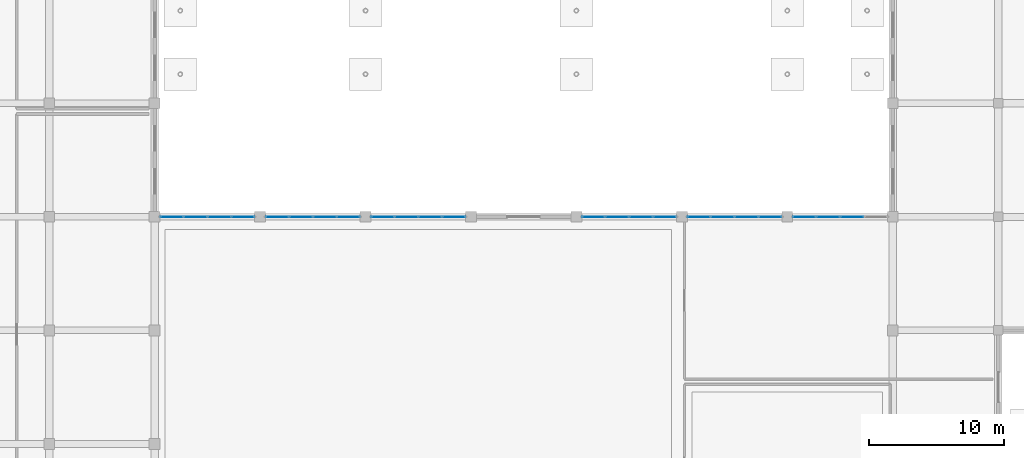
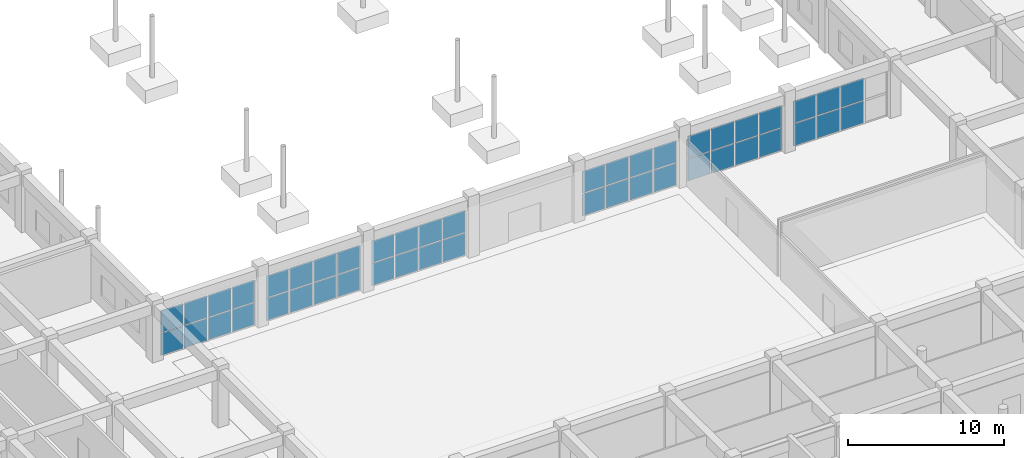
# One storey, part 104 of 139: 46 plates, 6 elements without a shape of their own.
"""IFC4 building model written with IfcOpenShell, lengths in metres."""

from ifc_helpers import new_model, si_unit, direction, frame, origin, origin_2d, place, context, subcontext, project, spatial, rectangle, extrude, material, layer, layer_set, type_object, element, aggregate, save


model = new_model("IFC4")

# Units and contexts
model_context = context("Model", 3, precision=1e-05, world=origin(), true_north=direction((0.0, 1.0)))
body_context = subcontext(model_context, "Body", "Model", "MODEL_VIEW")
ifc_project = project(units=[si_unit("LENGTHUNIT", "METRE"), si_unit("AREAUNIT", "SQUARE_METRE"), si_unit("VOLUMEUNIT", "CUBIC_METRE"), si_unit("PLANEANGLEUNIT", "RADIAN"), si_unit("MASSUNIT", "GRAM", prefix="KILO")], contexts=[model_context])

# Site, building, storey
site_placement = place(None, origin())
site = spatial("IfcSite", under=ifc_project, at=site_placement, CompositionType="ELEMENT")
building_placement = place(site_placement, origin())
building = spatial("IfcBuilding", under=site, at=building_placement, Name="Zizhar Promenade General Hospital", CompositionType="ELEMENT")
storey_placement = place(building_placement, origin())
storey = spatial("IfcBuildingStorey", under=building, at=storey_placement, Name="L00", CompositionType="ELEMENT", Elevation=0.0)

# Curtain wall, plates
ifc_material_1 = material(Name="Anodised aluminium 6063-T6 and low-E glass", Category="aluminium")
ifc_layer_1 = layer(ifc_material_1, 0.159912109375)
ifc_layer_set_1 = layer_set([ifc_layer_1], Name="Anodised aluminium 6063-T6 and low-E glass")
curtain_wall_type = type_object("IfcCurtainWallType", Name="CW-HALL-N", PredefinedType="NOTDEFINED", material=ifc_layer_set_1)
curtain_wall_1_placement = place(storey_placement, origin())
curtain_wall_1 = element("IfcCurtainWall", 1, at=curtain_wall_1_placement, inside=storey, type_object=curtain_wall_type, Name="Main Hall Courtyard Curtain Wall L00-9", PredefinedType="NOTDEFINED")
ifc_material_2 = material(Name="Low-E solar-control glass", Category="glass")
ifc_layer_2 = layer(ifc_material_2, 0.031982421875)
ifc_layer_set_2 = layer_set([ifc_layer_2], Name="Low-E solar-control glass")
plate_type = type_object("IfcPlateType", Name="CWP-GLZ-32", PredefinedType="CURTAIN_PANEL", material=ifc_layer_set_2)
plate_1_placement = place(storey_placement, frame((71.465087890625, 50.39990234375, 0.06005859375), z_axis=(0.0, 0.0, 1.0), x_axis=(1.0, 0.0, 0.0)))
plate_1 = element("IfcPlate", 2, at=plate_1_placement, type_object=plate_type, Name="CW-02 panel 1.1", PredefinedType="CURTAIN_PANEL", context=body_context, shape_type="SweptSolid", body=[
    extrude(rectangle(XDim=1.64990234375, YDim=0.031982421875, at=origin_2d()), origin(), (0.0, 0.0, 1.0), 1.72509765625),
])
plate_2_placement = place(storey_placement, frame((71.465087890625, 50.39990234375, 1.844970703125), z_axis=(0.0, 0.0, 1.0), x_axis=(1.0, 0.0, 0.0)))
plate_2 = element("IfcPlate", 3, at=plate_2_placement, type_object=plate_type, Name="CW-02 panel 1.2", PredefinedType="CURTAIN_PANEL", context=body_context, shape_type="SweptSolid", body=[
    extrude(rectangle(XDim=1.64990234375, YDim=0.031982421875, at=origin_2d()), origin(), (0.0, 0.0, 1.0), 1.72509765625),
])
plate_3_placement = place(storey_placement, frame((73.215087890625, 50.39990234375, 0.06005859375), z_axis=(0.0, 0.0, 1.0), x_axis=(1.0, 0.0, 0.0)))
plate_3 = element("IfcPlate", 4, at=plate_3_placement, type_object=plate_type, Name="CW-02 panel 2.1", PredefinedType="CURTAIN_PANEL", context=body_context, shape_type="SweptSolid", body=[
    extrude(rectangle(XDim=1.68994140625, YDim=0.031982421875, at=origin_2d()), origin(), (0.0, 0.0, 1.0), 1.72509765625),
])
plate_4_placement = place(storey_placement, frame((73.215087890625, 50.39990234375, 1.844970703125), z_axis=(0.0, 0.0, 1.0), x_axis=(1.0, 0.0, 0.0)))
plate_4 = element("IfcPlate", 5, at=plate_4_placement, type_object=plate_type, Name="CW-02 panel 2.2", PredefinedType="CURTAIN_PANEL", context=body_context, shape_type="SweptSolid", body=[
    extrude(rectangle(XDim=1.68994140625, YDim=0.031982421875, at=origin_2d()), origin(), (0.0, 0.0, 1.0), 1.72509765625),
])
plate_5_placement = place(storey_placement, frame((74.985107421875, 50.39990234375, 0.06005859375), z_axis=(0.0, 0.0, 1.0), x_axis=(1.0, 0.0, 0.0)))
plate_5 = element("IfcPlate", 6, at=plate_5_placement, type_object=plate_type, Name="CW-02 panel 3.1", PredefinedType="CURTAIN_PANEL", context=body_context, shape_type="SweptSolid", body=[
    extrude(rectangle(XDim=1.68994140625, YDim=0.031982421875, at=origin_2d()), origin(), (0.0, 0.0, 1.0), 1.72509765625),
])
plate_6_placement = place(storey_placement, frame((74.985107421875, 50.39990234375, 1.844970703125), z_axis=(0.0, 0.0, 1.0), x_axis=(1.0, 0.0, 0.0)))
plate_6 = element("IfcPlate", 7, at=plate_6_placement, type_object=plate_type, Name="CW-02 panel 3.2", PredefinedType="CURTAIN_PANEL", context=body_context, shape_type="SweptSolid", body=[
    extrude(rectangle(XDim=1.68994140625, YDim=0.031982421875, at=origin_2d()), origin(), (0.0, 0.0, 1.0), 1.72509765625),
])
plate_7_placement = place(storey_placement, frame((76.735107421875, 50.39990234375, 0.06005859375), z_axis=(0.0, 0.0, 1.0), x_axis=(1.0, 0.0, 0.0)))
plate_7 = element("IfcPlate", 8, at=plate_7_placement, type_object=plate_type, Name="CW-02 panel 4.1", PredefinedType="CURTAIN_PANEL", context=body_context, shape_type="SweptSolid", body=[
    extrude(rectangle(XDim=1.64990234375, YDim=0.031982421875, at=origin_2d()), origin(), (0.0, 0.0, 1.0), 1.72509765625),
])
plate_8_placement = place(storey_placement, frame((76.735107421875, 50.39990234375, 1.844970703125), z_axis=(0.0, 0.0, 1.0), x_axis=(1.0, 0.0, 0.0)))
plate_8 = element("IfcPlate", 9, at=plate_8_placement, type_object=plate_type, Name="CW-02 panel 4.2", PredefinedType="CURTAIN_PANEL", context=body_context, shape_type="SweptSolid", body=[
    extrude(rectangle(XDim=1.64990234375, YDim=0.031982421875, at=origin_2d()), origin(), (0.0, 0.0, 1.0), 1.72509765625),
])
aggregate(curtain_wall_1, [plate_1, plate_2, plate_3, plate_4, plate_5, plate_6, plate_7, plate_8])

curtain_wall_2_placement = place(storey_placement, origin())
curtain_wall_2 = element("IfcCurtainWall", 10, at=curtain_wall_2_placement, inside=storey, type_object=curtain_wall_type, Name="Main Hall Courtyard Curtain Wall L00-10", PredefinedType="NOTDEFINED")
plate_9_placement = place(storey_placement, frame((79.264892578125, 50.39990234375, 0.06005859375), z_axis=(0.0, 0.0, 1.0), x_axis=(1.0, 0.0, 0.0)))
plate_9 = element("IfcPlate", 11, at=plate_9_placement, type_object=plate_type, Name="CW-02 panel 1.1", PredefinedType="CURTAIN_PANEL", context=body_context, shape_type="SweptSolid", body=[
    extrude(rectangle(XDim=1.64990234375, YDim=0.031982421875, at=origin_2d()), origin(), (0.0, 0.0, 1.0), 1.72509765625),
])
plate_10_placement = place(storey_placement, frame((79.264892578125, 50.39990234375, 1.844970703125), z_axis=(0.0, 0.0, 1.0), x_axis=(1.0, 0.0, 0.0)))
plate_10 = element("IfcPlate", 12, at=plate_10_placement, type_object=plate_type, Name="CW-02 panel 1.2", PredefinedType="CURTAIN_PANEL", context=body_context, shape_type="SweptSolid", body=[
    extrude(rectangle(XDim=1.64990234375, YDim=0.031982421875, at=origin_2d()), origin(), (0.0, 0.0, 1.0), 1.72509765625),
])
plate_11_placement = place(storey_placement, frame((81.014892578125, 50.39990234375, 0.06005859375), z_axis=(0.0, 0.0, 1.0), x_axis=(1.0, 0.0, 0.0)))
plate_11 = element("IfcPlate", 13, at=plate_11_placement, type_object=plate_type, Name="CW-02 panel 2.1", PredefinedType="CURTAIN_PANEL", context=body_context, shape_type="SweptSolid", body=[
    extrude(rectangle(XDim=1.68994140625, YDim=0.031982421875, at=origin_2d()), origin(), (0.0, 0.0, 1.0), 1.72509765625),
])
plate_12_placement = place(storey_placement, frame((81.014892578125, 50.39990234375, 1.844970703125), z_axis=(0.0, 0.0, 1.0), x_axis=(1.0, 0.0, 0.0)))
plate_12 = element("IfcPlate", 14, at=plate_12_placement, type_object=plate_type, Name="CW-02 panel 2.2", PredefinedType="CURTAIN_PANEL", context=body_context, shape_type="SweptSolid", body=[
    extrude(rectangle(XDim=1.68994140625, YDim=0.031982421875, at=origin_2d()), origin(), (0.0, 0.0, 1.0), 1.72509765625),
])
plate_13_placement = place(storey_placement, frame((82.784912109375, 50.39990234375, 0.06005859375), z_axis=(0.0, 0.0, 1.0), x_axis=(1.0, 0.0, 0.0)))
plate_13 = element("IfcPlate", 15, at=plate_13_placement, type_object=plate_type, Name="CW-02 panel 3.1", PredefinedType="CURTAIN_PANEL", context=body_context, shape_type="SweptSolid", body=[
    extrude(rectangle(XDim=1.68994140625, YDim=0.031982421875, at=origin_2d()), origin(), (0.0, 0.0, 1.0), 1.72509765625),
])
plate_14_placement = place(storey_placement, frame((82.784912109375, 50.39990234375, 1.844970703125), z_axis=(0.0, 0.0, 1.0), x_axis=(1.0, 0.0, 0.0)))
plate_14 = element("IfcPlate", 16, at=plate_14_placement, type_object=plate_type, Name="CW-02 panel 3.2", PredefinedType="CURTAIN_PANEL", context=body_context, shape_type="SweptSolid", body=[
    extrude(rectangle(XDim=1.68994140625, YDim=0.031982421875, at=origin_2d()), origin(), (0.0, 0.0, 1.0), 1.72509765625),
])
plate_15_placement = place(storey_placement, frame((84.534912109375, 50.39990234375, 0.06005859375), z_axis=(0.0, 0.0, 1.0), x_axis=(1.0, 0.0, 0.0)))
plate_15 = element("IfcPlate", 17, at=plate_15_placement, type_object=plate_type, Name="CW-02 panel 4.1", PredefinedType="CURTAIN_PANEL", context=body_context, shape_type="SweptSolid", body=[
    extrude(rectangle(XDim=1.64990234375, YDim=0.031982421875, at=origin_2d()), origin(), (0.0, 0.0, 1.0), 1.72509765625),
])
plate_16_placement = place(storey_placement, frame((84.534912109375, 50.39990234375, 1.844970703125), z_axis=(0.0, 0.0, 1.0), x_axis=(1.0, 0.0, 0.0)))
plate_16 = element("IfcPlate", 18, at=plate_16_placement, type_object=plate_type, Name="CW-02 panel 4.2", PredefinedType="CURTAIN_PANEL", context=body_context, shape_type="SweptSolid", body=[
    extrude(rectangle(XDim=1.64990234375, YDim=0.031982421875, at=origin_2d()), origin(), (0.0, 0.0, 1.0), 1.72509765625),
])
aggregate(curtain_wall_2, [plate_9, plate_10, plate_11, plate_12, plate_13, plate_14, plate_15, plate_16])

curtain_wall_3_placement = place(storey_placement, origin())
curtain_wall_3 = element("IfcCurtainWall", 19, at=curtain_wall_3_placement, inside=storey, type_object=curtain_wall_type, Name="Main Hall Courtyard Curtain Wall L00-11", PredefinedType="NOTDEFINED")
plate_17_placement = place(storey_placement, frame((87.06494140625, 50.39990234375, 0.06005859375), z_axis=(0.0, 0.0, 1.0), x_axis=(1.0, 0.0, 0.0)))
plate_17 = element("IfcPlate", 20, at=plate_17_placement, type_object=plate_type, Name="CW-02 panel 1.1", PredefinedType="CURTAIN_PANEL", context=body_context, shape_type="SweptSolid", body=[
    extrude(rectangle(XDim=1.64990234375, YDim=0.031982421875, at=origin_2d()), origin(), (0.0, 0.0, 1.0), 1.72509765625),
])
plate_18_placement = place(storey_placement, frame((87.06494140625, 50.39990234375, 1.844970703125), z_axis=(0.0, 0.0, 1.0), x_axis=(1.0, 0.0, 0.0)))
plate_18 = element("IfcPlate", 21, at=plate_18_placement, type_object=plate_type, Name="CW-02 panel 1.2", PredefinedType="CURTAIN_PANEL", context=body_context, shape_type="SweptSolid", body=[
    extrude(rectangle(XDim=1.64990234375, YDim=0.031982421875, at=origin_2d()), origin(), (0.0, 0.0, 1.0), 1.72509765625),
])
plate_19_placement = place(storey_placement, frame((88.81494140625, 50.39990234375, 0.06005859375), z_axis=(0.0, 0.0, 1.0), x_axis=(1.0, 0.0, 0.0)))
plate_19 = element("IfcPlate", 22, at=plate_19_placement, type_object=plate_type, Name="CW-02 panel 2.1", PredefinedType="CURTAIN_PANEL", context=body_context, shape_type="SweptSolid", body=[
    extrude(rectangle(XDim=1.68994140625, YDim=0.031982421875, at=origin_2d()), origin(), (0.0, 0.0, 1.0), 1.72509765625),
])
plate_20_placement = place(storey_placement, frame((88.81494140625, 50.39990234375, 1.844970703125), z_axis=(0.0, 0.0, 1.0), x_axis=(1.0, 0.0, 0.0)))
plate_20 = element("IfcPlate", 23, at=plate_20_placement, type_object=plate_type, Name="CW-02 panel 2.2", PredefinedType="CURTAIN_PANEL", context=body_context, shape_type="SweptSolid", body=[
    extrude(rectangle(XDim=1.68994140625, YDim=0.031982421875, at=origin_2d()), origin(), (0.0, 0.0, 1.0), 1.72509765625),
])
plate_21_placement = place(storey_placement, frame((90.5849609375, 50.39990234375, 0.06005859375), z_axis=(0.0, 0.0, 1.0), x_axis=(1.0, 0.0, 0.0)))
plate_21 = element("IfcPlate", 24, at=plate_21_placement, type_object=plate_type, Name="CW-02 panel 3.1", PredefinedType="CURTAIN_PANEL", context=body_context, shape_type="SweptSolid", body=[
    extrude(rectangle(XDim=1.68994140625, YDim=0.031982421875, at=origin_2d()), origin(), (0.0, 0.0, 1.0), 1.72509765625),
])
plate_22_placement = place(storey_placement, frame((90.5849609375, 50.39990234375, 1.844970703125), z_axis=(0.0, 0.0, 1.0), x_axis=(1.0, 0.0, 0.0)))
plate_22 = element("IfcPlate", 25, at=plate_22_placement, type_object=plate_type, Name="CW-02 panel 3.2", PredefinedType="CURTAIN_PANEL", context=body_context, shape_type="SweptSolid", body=[
    extrude(rectangle(XDim=1.68994140625, YDim=0.031982421875, at=origin_2d()), origin(), (0.0, 0.0, 1.0), 1.72509765625),
])
plate_23_placement = place(storey_placement, frame((92.3349609375, 50.39990234375, 0.06005859375), z_axis=(0.0, 0.0, 1.0), x_axis=(1.0, 0.0, 0.0)))
plate_23 = element("IfcPlate", 26, at=plate_23_placement, type_object=plate_type, Name="CW-02 panel 4.1", PredefinedType="CURTAIN_PANEL", context=body_context, shape_type="SweptSolid", body=[
    extrude(rectangle(XDim=1.64990234375, YDim=0.031982421875, at=origin_2d()), origin(), (0.0, 0.0, 1.0), 1.72509765625),
])
plate_24_placement = place(storey_placement, frame((92.3349609375, 50.39990234375, 1.844970703125), z_axis=(0.0, 0.0, 1.0), x_axis=(1.0, 0.0, 0.0)))
plate_24 = element("IfcPlate", 27, at=plate_24_placement, type_object=plate_type, Name="CW-02 panel 4.2", PredefinedType="CURTAIN_PANEL", context=body_context, shape_type="SweptSolid", body=[
    extrude(rectangle(XDim=1.64990234375, YDim=0.031982421875, at=origin_2d()), origin(), (0.0, 0.0, 1.0), 1.72509765625),
])
aggregate(curtain_wall_3, [plate_17, plate_18, plate_19, plate_20, plate_21, plate_22, plate_23, plate_24])

curtain_wall_4_placement = place(storey_placement, origin())
curtain_wall_4 = element("IfcCurtainWall", 28, at=curtain_wall_4_placement, inside=storey, type_object=curtain_wall_type, Name="Main Hall Courtyard Curtain Wall L00-13", PredefinedType="NOTDEFINED")
plate_25_placement = place(storey_placement, frame((102.6650390625, 50.39990234375, 0.06005859375), z_axis=(0.0, 0.0, 1.0), x_axis=(1.0, 0.0, 0.0)))
plate_25 = element("IfcPlate", 29, at=plate_25_placement, type_object=plate_type, Name="CW-02 panel 1.1", PredefinedType="CURTAIN_PANEL", context=body_context, shape_type="SweptSolid", body=[
    extrude(rectangle(XDim=1.64990234375, YDim=0.031982421875, at=origin_2d()), origin(), (0.0, 0.0, 1.0), 1.72509765625),
])
plate_26_placement = place(storey_placement, frame((102.6650390625, 50.39990234375, 1.844970703125), z_axis=(0.0, 0.0, 1.0), x_axis=(1.0, 0.0, 0.0)))
plate_26 = element("IfcPlate", 30, at=plate_26_placement, type_object=plate_type, Name="CW-02 panel 1.2", PredefinedType="CURTAIN_PANEL", context=body_context, shape_type="SweptSolid", body=[
    extrude(rectangle(XDim=1.64990234375, YDim=0.031982421875, at=origin_2d()), origin(), (0.0, 0.0, 1.0), 1.72509765625),
])
plate_27_placement = place(storey_placement, frame((104.4150390625, 50.39990234375, 0.06005859375), z_axis=(0.0, 0.0, 1.0), x_axis=(1.0, 0.0, 0.0)))
plate_27 = element("IfcPlate", 31, at=plate_27_placement, type_object=plate_type, Name="CW-02 panel 2.1", PredefinedType="CURTAIN_PANEL", context=body_context, shape_type="SweptSolid", body=[
    extrude(rectangle(XDim=1.68994140625, YDim=0.031982421875, at=origin_2d()), origin(), (0.0, 0.0, 1.0), 1.72509765625),
])
plate_28_placement = place(storey_placement, frame((104.4150390625, 50.39990234375, 1.844970703125), z_axis=(0.0, 0.0, 1.0), x_axis=(1.0, 0.0, 0.0)))
plate_28 = element("IfcPlate", 32, at=plate_28_placement, type_object=plate_type, Name="CW-02 panel 2.2", PredefinedType="CURTAIN_PANEL", context=body_context, shape_type="SweptSolid", body=[
    extrude(rectangle(XDim=1.68994140625, YDim=0.031982421875, at=origin_2d()), origin(), (0.0, 0.0, 1.0), 1.72509765625),
])
plate_29_placement = place(storey_placement, frame((106.18505859375, 50.39990234375, 0.06005859375), z_axis=(0.0, 0.0, 1.0), x_axis=(1.0, 0.0, 0.0)))
plate_29 = element("IfcPlate", 33, at=plate_29_placement, type_object=plate_type, Name="CW-02 panel 3.1", PredefinedType="CURTAIN_PANEL", context=body_context, shape_type="SweptSolid", body=[
    extrude(rectangle(XDim=1.68994140625, YDim=0.031982421875, at=origin_2d()), origin(), (0.0, 0.0, 1.0), 1.72509765625),
])
plate_30_placement = place(storey_placement, frame((106.18505859375, 50.39990234375, 1.844970703125), z_axis=(0.0, 0.0, 1.0), x_axis=(1.0, 0.0, 0.0)))
plate_30 = element("IfcPlate", 34, at=plate_30_placement, type_object=plate_type, Name="CW-02 panel 3.2", PredefinedType="CURTAIN_PANEL", context=body_context, shape_type="SweptSolid", body=[
    extrude(rectangle(XDim=1.68994140625, YDim=0.031982421875, at=origin_2d()), origin(), (0.0, 0.0, 1.0), 1.72509765625),
])
plate_31_placement = place(storey_placement, frame((107.93505859375, 50.39990234375, 0.06005859375), z_axis=(0.0, 0.0, 1.0), x_axis=(1.0, 0.0, 0.0)))
plate_31 = element("IfcPlate", 35, at=plate_31_placement, type_object=plate_type, Name="CW-02 panel 4.1", PredefinedType="CURTAIN_PANEL", context=body_context, shape_type="SweptSolid", body=[
    extrude(rectangle(XDim=1.64990234375, YDim=0.031982421875, at=origin_2d()), origin(), (0.0, 0.0, 1.0), 1.72509765625),
])
plate_32_placement = place(storey_placement, frame((107.93505859375, 50.39990234375, 1.844970703125), z_axis=(0.0, 0.0, 1.0), x_axis=(1.0, 0.0, 0.0)))
plate_32 = element("IfcPlate", 36, at=plate_32_placement, type_object=plate_type, Name="CW-02 panel 4.2", PredefinedType="CURTAIN_PANEL", context=body_context, shape_type="SweptSolid", body=[
    extrude(rectangle(XDim=1.64990234375, YDim=0.031982421875, at=origin_2d()), origin(), (0.0, 0.0, 1.0), 1.72509765625),
])
aggregate(curtain_wall_4, [plate_25, plate_26, plate_27, plate_28, plate_29, plate_30, plate_31, plate_32])

curtain_wall_5_placement = place(storey_placement, origin())
curtain_wall_5 = element("IfcCurtainWall", 37, at=curtain_wall_5_placement, inside=storey, type_object=curtain_wall_type, Name="Main Hall Courtyard Curtain Wall L00-14", PredefinedType="NOTDEFINED")
plate_33_placement = place(storey_placement, frame((110.465087890625, 50.39990234375, 0.06005859375), z_axis=(0.0, 0.0, 1.0), x_axis=(1.0, 0.0, 0.0)))
plate_33 = element("IfcPlate", 38, at=plate_33_placement, type_object=plate_type, Name="CW-02 panel 1.1", PredefinedType="CURTAIN_PANEL", context=body_context, shape_type="SweptSolid", body=[
    extrude(rectangle(XDim=1.64990234375, YDim=0.031982421875, at=origin_2d()), origin(), (0.0, 0.0, 1.0), 1.72509765625),
])
plate_34_placement = place(storey_placement, frame((110.465087890625, 50.39990234375, 1.844970703125), z_axis=(0.0, 0.0, 1.0), x_axis=(1.0, 0.0, 0.0)))
plate_34 = element("IfcPlate", 39, at=plate_34_placement, type_object=plate_type, Name="CW-02 panel 1.2", PredefinedType="CURTAIN_PANEL", context=body_context, shape_type="SweptSolid", body=[
    extrude(rectangle(XDim=1.64990234375, YDim=0.031982421875, at=origin_2d()), origin(), (0.0, 0.0, 1.0), 1.72509765625),
])
plate_35_placement = place(storey_placement, frame((112.215087890625, 50.39990234375, 0.06005859375), z_axis=(0.0, 0.0, 1.0), x_axis=(1.0, 0.0, 0.0)))
plate_35 = element("IfcPlate", 40, at=plate_35_placement, type_object=plate_type, Name="CW-02 panel 2.1", PredefinedType="CURTAIN_PANEL", context=body_context, shape_type="SweptSolid", body=[
    extrude(rectangle(XDim=1.68994140625, YDim=0.031982421875, at=origin_2d()), origin(), (0.0, 0.0, 1.0), 1.72509765625),
])
plate_36_placement = place(storey_placement, frame((112.215087890625, 50.39990234375, 1.844970703125), z_axis=(0.0, 0.0, 1.0), x_axis=(1.0, 0.0, 0.0)))
plate_36 = element("IfcPlate", 41, at=plate_36_placement, type_object=plate_type, Name="CW-02 panel 2.2", PredefinedType="CURTAIN_PANEL", context=body_context, shape_type="SweptSolid", body=[
    extrude(rectangle(XDim=1.68994140625, YDim=0.031982421875, at=origin_2d()), origin(), (0.0, 0.0, 1.0), 1.72509765625),
])
plate_37_placement = place(storey_placement, frame((113.985107421875, 50.39990234375, 0.06005859375), z_axis=(0.0, 0.0, 1.0), x_axis=(1.0, 0.0, 0.0)))
plate_37 = element("IfcPlate", 42, at=plate_37_placement, type_object=plate_type, Name="CW-02 panel 3.1", PredefinedType="CURTAIN_PANEL", context=body_context, shape_type="SweptSolid", body=[
    extrude(rectangle(XDim=1.68994140625, YDim=0.031982421875, at=origin_2d()), origin(), (0.0, 0.0, 1.0), 1.72509765625),
])
plate_38_placement = place(storey_placement, frame((113.985107421875, 50.39990234375, 1.844970703125), z_axis=(0.0, 0.0, 1.0), x_axis=(1.0, 0.0, 0.0)))
plate_38 = element("IfcPlate", 43, at=plate_38_placement, type_object=plate_type, Name="CW-02 panel 3.2", PredefinedType="CURTAIN_PANEL", context=body_context, shape_type="SweptSolid", body=[
    extrude(rectangle(XDim=1.68994140625, YDim=0.031982421875, at=origin_2d()), origin(), (0.0, 0.0, 1.0), 1.72509765625),
])
plate_39_placement = place(storey_placement, frame((115.735107421875, 50.39990234375, 0.06005859375), z_axis=(0.0, 0.0, 1.0), x_axis=(1.0, 0.0, 0.0)))
plate_39 = element("IfcPlate", 44, at=plate_39_placement, type_object=plate_type, Name="CW-02 panel 4.1", PredefinedType="CURTAIN_PANEL", context=body_context, shape_type="SweptSolid", body=[
    extrude(rectangle(XDim=1.64990234375, YDim=0.031982421875, at=origin_2d()), origin(), (0.0, 0.0, 1.0), 1.72509765625),
])
plate_40_placement = place(storey_placement, frame((115.735107421875, 50.39990234375, 1.844970703125), z_axis=(0.0, 0.0, 1.0), x_axis=(1.0, 0.0, 0.0)))
plate_40 = element("IfcPlate", 45, at=plate_40_placement, type_object=plate_type, Name="CW-02 panel 4.2", PredefinedType="CURTAIN_PANEL", context=body_context, shape_type="SweptSolid", body=[
    extrude(rectangle(XDim=1.64990234375, YDim=0.031982421875, at=origin_2d()), origin(), (0.0, 0.0, 1.0), 1.72509765625),
])
aggregate(curtain_wall_5, [plate_33, plate_34, plate_35, plate_36, plate_37, plate_38, plate_39, plate_40])

curtain_wall_6_placement = place(storey_placement, origin())
curtain_wall_6 = element("IfcCurtainWall", 46, at=curtain_wall_6_placement, inside=storey, type_object=curtain_wall_type, Name="Main Hall Courtyard Curtain Wall L00-15", PredefinedType="NOTDEFINED")
plate_41_placement = place(storey_placement, frame((118.264892578125, 50.39990234375, 0.06005859375), z_axis=(0.0, 0.0, 1.0), x_axis=(1.0, 0.0, 0.0)))
plate_41 = element("IfcPlate", 47, at=plate_41_placement, type_object=plate_type, Name="CW-02 panel 1.1", PredefinedType="CURTAIN_PANEL", context=body_context, shape_type="SweptSolid", body=[
    extrude(rectangle(XDim=1.64990234375, YDim=0.031982421875, at=origin_2d()), origin(), (0.0, 0.0, 1.0), 1.72509765625),
])
plate_42_placement = place(storey_placement, frame((118.264892578125, 50.39990234375, 1.844970703125), z_axis=(0.0, 0.0, 1.0), x_axis=(1.0, 0.0, 0.0)))
plate_42 = element("IfcPlate", 48, at=plate_42_placement, type_object=plate_type, Name="CW-02 panel 1.2", PredefinedType="CURTAIN_PANEL", context=body_context, shape_type="SweptSolid", body=[
    extrude(rectangle(XDim=1.64990234375, YDim=0.031982421875, at=origin_2d()), origin(), (0.0, 0.0, 1.0), 1.72509765625),
])
plate_43_placement = place(storey_placement, frame((120.014892578125, 50.39990234375, 0.06005859375), z_axis=(0.0, 0.0, 1.0), x_axis=(1.0, 0.0, 0.0)))
plate_43 = element("IfcPlate", 49, at=plate_43_placement, type_object=plate_type, Name="CW-02 panel 2.1", PredefinedType="CURTAIN_PANEL", context=body_context, shape_type="SweptSolid", body=[
    extrude(rectangle(XDim=1.68994140625, YDim=0.031982421875, at=origin_2d()), origin(), (0.0, 0.0, 1.0), 1.72509765625),
])
plate_44_placement = place(storey_placement, frame((120.014892578125, 50.39990234375, 1.844970703125), z_axis=(0.0, 0.0, 1.0), x_axis=(1.0, 0.0, 0.0)))
plate_44 = element("IfcPlate", 50, at=plate_44_placement, type_object=plate_type, Name="CW-02 panel 2.2", PredefinedType="CURTAIN_PANEL", context=body_context, shape_type="SweptSolid", body=[
    extrude(rectangle(XDim=1.68994140625, YDim=0.031982421875, at=origin_2d()), origin(), (0.0, 0.0, 1.0), 1.72509765625),
])
plate_45_placement = place(storey_placement, frame((121.784912109375, 50.39990234375, 0.06005859375), z_axis=(0.0, 0.0, 1.0), x_axis=(1.0, 0.0, 0.0)))
plate_45 = element("IfcPlate", 51, at=plate_45_placement, type_object=plate_type, Name="CW-02 panel 3.1", PredefinedType="CURTAIN_PANEL", context=body_context, shape_type="SweptSolid", body=[
    extrude(rectangle(XDim=1.68994140625, YDim=0.031982421875, at=origin_2d()), origin(), (0.0, 0.0, 1.0), 1.72509765625),
])
plate_46_placement = place(storey_placement, frame((121.784912109375, 50.39990234375, 1.844970703125), z_axis=(0.0, 0.0, 1.0), x_axis=(1.0, 0.0, 0.0)))
plate_46 = element("IfcPlate", 52, at=plate_46_placement, type_object=plate_type, Name="CW-02 panel 3.2", PredefinedType="CURTAIN_PANEL", context=body_context, shape_type="SweptSolid", body=[
    extrude(rectangle(XDim=1.68994140625, YDim=0.031982421875, at=origin_2d()), origin(), (0.0, 0.0, 1.0), 1.72509765625),
])
aggregate(curtain_wall_6, [plate_41, plate_42, plate_43, plate_44, plate_45, plate_46])

save(model, "model.ifc")
